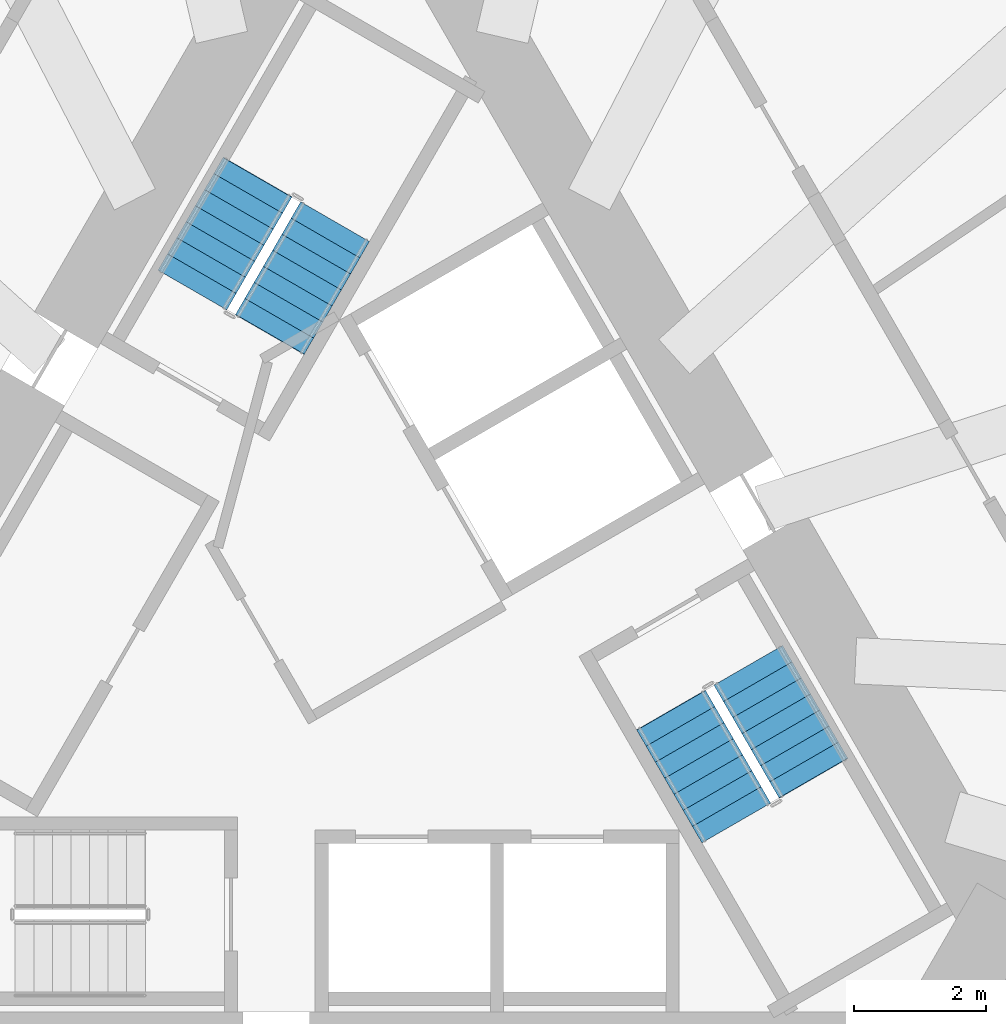
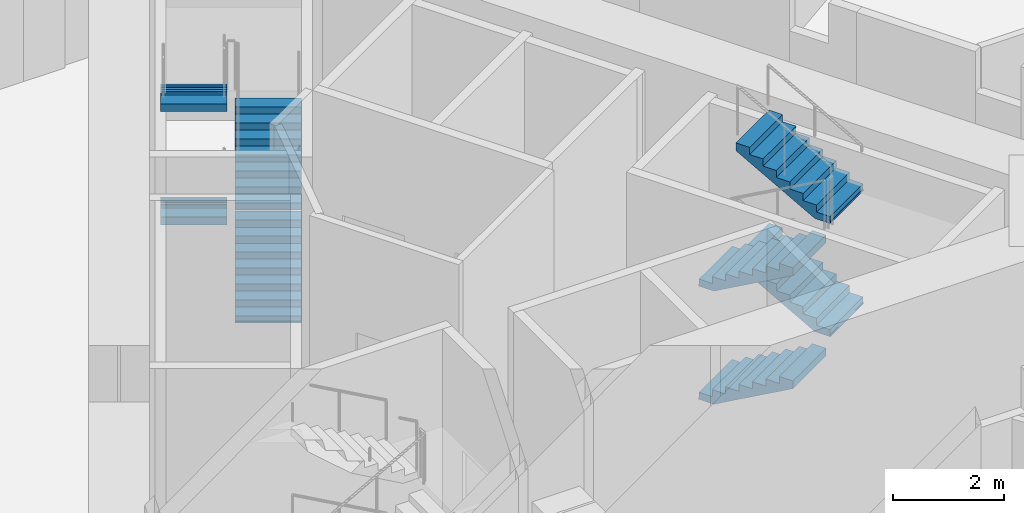
# One storey, part 16 of 20: 8 stair flights, 2 elements without a shape of their own.
"""IFC4 building model written with IfcOpenShell, lengths in metres."""

from ifc_helpers import new_model, si_unit, direction, frame, origin, place, context, subcontext, project, spatial, polyline, outline, extrude, material, layer, layer_set, type_object, element, aggregate, save


model = new_model("IFC4")

# Units and contexts
model_context = context("Model", 3, precision=1e-05, world=origin(), true_north=direction((0.0, 1.0)))
body_context = subcontext(model_context, "Body", "Model", "MODEL_VIEW")
ifc_project = project(units=[si_unit("LENGTHUNIT", "METRE"), si_unit("AREAUNIT", "SQUARE_METRE"), si_unit("VOLUMEUNIT", "CUBIC_METRE"), si_unit("PLANEANGLEUNIT", "RADIAN"), si_unit("MASSUNIT", "GRAM", prefix="KILO")], contexts=[model_context])

# Site, building, storey
site_placement = place(None, origin())
site = spatial("IfcSite", under=ifc_project, at=site_placement, CompositionType="ELEMENT")
building_placement = place(site_placement, origin())
building = spatial("IfcBuilding", under=site, at=building_placement, Name="Tramontana Tower", CompositionType="ELEMENT")
storey_placement = place(building_placement, frame((0.0, 0.0, 15.0)))
storey = spatial("IfcBuildingStorey", under=building, at=storey_placement, Name="L02", CompositionType="ELEMENT", Elevation=15.0)

# Stair, stair flights
ifc_material_1 = material(Name="Concrete 40 MPa", Category="concrete")
stair_type = type_object("IfcStairType", Name="EXIT STAIR 32 RISERS", PredefinedType="HALF_TURN_STAIR", material=ifc_material_1)
stair_1_placement = place(storey_placement, origin())
stair_1 = element("IfcStair", 1, at=stair_1_placement, inside=storey, type_object=stair_type, Name="L02 Exit stair ST1", PredefinedType="HALF_TURN_STAIR")
ifc_material_2 = material(Name="Concrete 40 MPa", Category="concrete")
ifc_layer = layer(ifc_material_2, 0.14990234375)
ifc_layer_set = layer_set([ifc_layer], Name="EXIT STAIR FLIGHT")
stair_flight_type = type_object("IfcStairFlightType", Name="EXIT STAIR FLIGHT", PredefinedType="STRAIGHT", material=ifc_layer_set)
stair_flight_1_placement = place(storey_placement, frame((-1.39111328125, 4.590576171875, 0.0), z_axis=(0.0, 0.0, 1.0), x_axis=(0.5, 0.866025403784, 0.0)))
stair_flight_1 = element("IfcStairFlight", 2, at=stair_flight_1_placement, type_object=stair_flight_type, Name="ST1 flight 1", NumberOfRisers=8, NumberOfTreads=7, PredefinedType="STRAIGHT", RiserHeight=0.15625, TreadLength=0.28, context=body_context, shape_type="SweptSolid", body=[
    extrude(outline(polyline([(-0.006103515625, 0.0), (-0.006103515625, 0.0400390625), (0.0, 0.0400390625), (0.0, 0.15625), (0.280029296875, 0.15625), (0.280029296875, 0.3125), (0.56005859375, 0.3125), (0.56005859375, 0.46875), (0.840087890625, 0.46875), (0.840087890625, 0.625), (1.1201171875, 0.625), (1.1201171875, 0.78125), (1.39990234375, 0.78125), (1.39990234375, 0.9375), (1.679931640625, 0.9375), (1.679931640625, 1.09375), (1.9599609375, 1.09375), (1.966064453125, 1.09375), (1.966064453125, 0.922119140625), (0.313720703125, 0.0), (-0.006103515625, 0.0)])), frame((0.0, 0.60009765625, 0.0), z_axis=(0.0, -1.0, 0.0), x_axis=(1.0, 0.0, 0.0)), (0.0, 0.0, 1.0), 1.199951171875),
])
stair_flight_2_placement = place(storey_placement, frame((-1.580322265625, 6.962890625, 1.25), z_axis=(0.0, 0.0, 1.0), x_axis=(-0.5, -0.866025403784, 0.0)))
stair_flight_2 = element("IfcStairFlight", 3, at=stair_flight_2_placement, type_object=stair_flight_type, Name="ST1 flight 2", NumberOfRisers=8, NumberOfTreads=7, PredefinedType="STRAIGHT", RiserHeight=0.15625, TreadLength=0.28, context=body_context, shape_type="SweptSolid", body=[
    extrude(outline(polyline([(-0.006103515625, 0.0), (-0.006103515625, 0.0400390625), (0.0, 0.0400390625), (0.0, 0.15625), (0.280029296875, 0.15625), (0.280029296875, 0.3125), (0.56005859375, 0.3125), (0.56005859375, 0.46875), (0.840087890625, 0.46875), (0.840087890625, 0.625), (1.1201171875, 0.625), (1.1201171875, 0.78125), (1.39990234375, 0.78125), (1.39990234375, 0.9375), (1.679931640625, 0.9375), (1.679931640625, 1.09375), (1.9599609375, 1.09375), (1.966064453125, 1.09375), (1.966064453125, 0.922119140625), (0.313720703125, 0.0), (-0.006103515625, 0.0)])), frame((0.0, 0.60009765625, 0.0), z_axis=(0.0, -1.0, 0.0), x_axis=(1.0, 0.0, 0.0)), (0.0, 0.0, 1.0), 1.199951171875),
])
stair_flight_3_placement = place(storey_placement, frame((-1.39111328125, 4.590576171875, 2.5), z_axis=(0.0, 0.0, 1.0), x_axis=(0.5, 0.866025403784, 0.0)))
stair_flight_3 = element("IfcStairFlight", 4, at=stair_flight_3_placement, type_object=stair_flight_type, Name="ST1 flight 3", NumberOfRisers=8, NumberOfTreads=7, PredefinedType="STRAIGHT", RiserHeight=0.15625, TreadLength=0.28, context=body_context, shape_type="SweptSolid", body=[
    extrude(outline(polyline([(-0.006103515625, 0.0), (-0.006103515625, 0.0400390625), (0.0, 0.0400390625), (0.0, 0.15625), (0.280029296875, 0.15625), (0.280029296875, 0.3125), (0.56005859375, 0.3125), (0.56005859375, 0.46875), (0.840087890625, 0.46875), (0.840087890625, 0.625), (1.1201171875, 0.625), (1.1201171875, 0.78125), (1.39990234375, 0.78125), (1.39990234375, 0.9375), (1.679931640625, 0.9375), (1.679931640625, 1.09375), (1.9599609375, 1.09375), (1.966064453125, 1.09375), (1.966064453125, 0.922119140625), (0.313720703125, 0.0), (-0.006103515625, 0.0)])), frame((0.0, 0.60009765625, 0.0), z_axis=(0.0, -1.0, 0.0), x_axis=(1.0, 0.0, 0.0)), (0.0, 0.0, 1.0), 1.199951171875),
])
stair_flight_4_placement = place(storey_placement, frame((-1.580322265625, 6.962890625, 3.75), z_axis=(0.0, 0.0, 1.0), x_axis=(-0.5, -0.866025403784, 0.0)))
stair_flight_4 = element("IfcStairFlight", 5, at=stair_flight_4_placement, type_object=stair_flight_type, Name="ST1 flight 4", NumberOfRisers=8, NumberOfTreads=7, PredefinedType="STRAIGHT", RiserHeight=0.15625, TreadLength=0.28, context=body_context, shape_type="SweptSolid", body=[
    extrude(outline(polyline([(-0.006103515625, 0.0), (-0.006103515625, 0.0400390625), (0.0, 0.0400390625), (0.0, 0.15625), (0.280029296875, 0.15625), (0.280029296875, 0.3125), (0.56005859375, 0.3125), (0.56005859375, 0.46875), (0.840087890625, 0.46875), (0.840087890625, 0.625), (1.1201171875, 0.625), (1.1201171875, 0.78125), (1.39990234375, 0.78125), (1.39990234375, 0.9375), (1.679931640625, 0.9375), (1.679931640625, 1.09375), (1.9599609375, 1.09375), (1.966064453125, 1.09375), (1.966064453125, 0.922119140625), (0.313720703125, 0.0), (-0.006103515625, 0.0)])), frame((0.0, 0.60009765625, 0.0), z_axis=(0.0, -1.0, 0.0), x_axis=(1.0, 0.0, 0.0)), (0.0, 0.0, 1.0), 1.199951171875),
])
aggregate(stair_1, [stair_flight_1, stair_flight_2, stair_flight_3, stair_flight_4])

stair_2_placement = place(storey_placement, origin())
stair_2 = element("IfcStair", 6, at=stair_2_placement, inside=storey, type_object=stair_type, Name="L02 Exit stair ST3", PredefinedType="HALF_TURN_STAIR")
stair_flight_5_placement = place(storey_placement, frame((4.671142578125, -1.090576171875, 0.0), z_axis=(0.0, 0.0, 1.0), x_axis=(0.5, -0.866025403784, 0.0)))
stair_flight_5 = element("IfcStairFlight", 7, at=stair_flight_5_placement, type_object=stair_flight_type, Name="ST3 flight 1", NumberOfRisers=8, NumberOfTreads=7, PredefinedType="STRAIGHT", RiserHeight=0.15625, TreadLength=0.28, context=body_context, shape_type="SweptSolid", body=[
    extrude(outline(polyline([(-0.006103515625, 0.0), (-0.006103515625, 0.0400390625), (0.0, 0.0400390625), (0.0, 0.15625), (0.280029296875, 0.15625), (0.280029296875, 0.3125), (0.56005859375, 0.3125), (0.56005859375, 0.46875), (0.840087890625, 0.46875), (0.840087890625, 0.625), (1.1201171875, 0.625), (1.1201171875, 0.78125), (1.39990234375, 0.78125), (1.39990234375, 0.9375), (1.679931640625, 0.9375), (1.679931640625, 1.09375), (1.9599609375, 1.09375), (1.966064453125, 1.09375), (1.966064453125, 0.922119140625), (0.313720703125, 0.0), (-0.006103515625, 0.0)])), frame((0.0, 0.60009765625, 0.0), z_axis=(0.0, -1.0, 0.0), x_axis=(1.0, 0.0, 0.0)), (0.0, 0.0, 1.0), 1.199951171875),
])
stair_flight_6_placement = place(storey_placement, frame((6.8203125, -2.113037109375, 1.25), z_axis=(0.0, 0.0, 1.0), x_axis=(-0.5, 0.866025403784, 0.0)))
stair_flight_6 = element("IfcStairFlight", 8, at=stair_flight_6_placement, type_object=stair_flight_type, Name="ST3 flight 2", NumberOfRisers=8, NumberOfTreads=7, PredefinedType="STRAIGHT", RiserHeight=0.15625, TreadLength=0.28, context=body_context, shape_type="SweptSolid", body=[
    extrude(outline(polyline([(-0.006103515625, 0.0), (-0.006103515625, 0.0400390625), (0.0, 0.0400390625), (0.0, 0.15625), (0.280029296875, 0.15625), (0.280029296875, 0.3125), (0.56005859375, 0.3125), (0.56005859375, 0.46875), (0.840087890625, 0.46875), (0.840087890625, 0.625), (1.1201171875, 0.625), (1.1201171875, 0.78125), (1.39990234375, 0.78125), (1.39990234375, 0.9375), (1.679931640625, 0.9375), (1.679931640625, 1.09375), (1.9599609375, 1.09375), (1.966064453125, 1.09375), (1.966064453125, 0.922119140625), (0.313720703125, 0.0), (-0.006103515625, 0.0)])), frame((0.0, 0.60009765625, 0.0), z_axis=(0.0, -1.0, 0.0), x_axis=(1.0, 0.0, 0.0)), (0.0, 0.0, 1.0), 1.199951171875),
])
stair_flight_7_placement = place(storey_placement, frame((4.671142578125, -1.090576171875, 2.5), z_axis=(0.0, 0.0, 1.0), x_axis=(0.5, -0.866025403784, 0.0)))
stair_flight_7 = element("IfcStairFlight", 9, at=stair_flight_7_placement, type_object=stair_flight_type, Name="ST3 flight 3", NumberOfRisers=8, NumberOfTreads=7, PredefinedType="STRAIGHT", RiserHeight=0.15625, TreadLength=0.28, context=body_context, shape_type="SweptSolid", body=[
    extrude(outline(polyline([(-0.006103515625, 0.0), (-0.006103515625, 0.0400390625), (0.0, 0.0400390625), (0.0, 0.15625), (0.280029296875, 0.15625), (0.280029296875, 0.3125), (0.56005859375, 0.3125), (0.56005859375, 0.46875), (0.840087890625, 0.46875), (0.840087890625, 0.625), (1.1201171875, 0.625), (1.1201171875, 0.78125), (1.39990234375, 0.78125), (1.39990234375, 0.9375), (1.679931640625, 0.9375), (1.679931640625, 1.09375), (1.9599609375, 1.09375), (1.966064453125, 1.09375), (1.966064453125, 0.922119140625), (0.313720703125, 0.0), (-0.006103515625, 0.0)])), frame((0.0, 0.60009765625, 0.0), z_axis=(0.0, -1.0, 0.0), x_axis=(1.0, 0.0, 0.0)), (0.0, 0.0, 1.0), 1.199951171875),
])
stair_flight_8_placement = place(storey_placement, frame((6.8203125, -2.113037109375, 3.75), z_axis=(0.0, 0.0, 1.0), x_axis=(-0.5, 0.866025403784, 0.0)))
stair_flight_8 = element("IfcStairFlight", 10, at=stair_flight_8_placement, type_object=stair_flight_type, Name="ST3 flight 4", NumberOfRisers=8, NumberOfTreads=7, PredefinedType="STRAIGHT", RiserHeight=0.15625, TreadLength=0.28, context=body_context, shape_type="SweptSolid", body=[
    extrude(outline(polyline([(-0.006103515625, 0.0), (-0.006103515625, 0.0400390625), (0.0, 0.0400390625), (0.0, 0.15625), (0.280029296875, 0.15625), (0.280029296875, 0.3125), (0.56005859375, 0.3125), (0.56005859375, 0.46875), (0.840087890625, 0.46875), (0.840087890625, 0.625), (1.1201171875, 0.625), (1.1201171875, 0.78125), (1.39990234375, 0.78125), (1.39990234375, 0.9375), (1.679931640625, 0.9375), (1.679931640625, 1.09375), (1.9599609375, 1.09375), (1.966064453125, 1.09375), (1.966064453125, 0.922119140625), (0.313720703125, 0.0), (-0.006103515625, 0.0)])), frame((0.0, 0.60009765625, 0.0), z_axis=(0.0, -1.0, 0.0), x_axis=(1.0, 0.0, 0.0)), (0.0, 0.0, 1.0), 1.199951171875),
])
aggregate(stair_2, [stair_flight_5, stair_flight_6, stair_flight_7, stair_flight_8])

save(model, "model.ifc")
